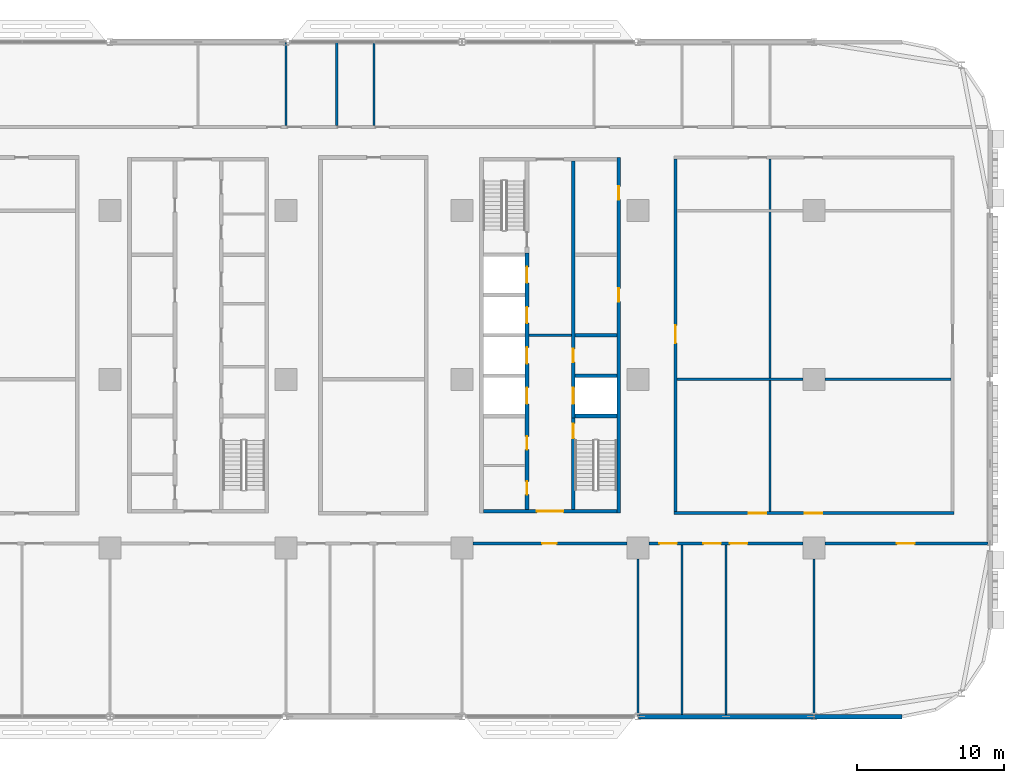
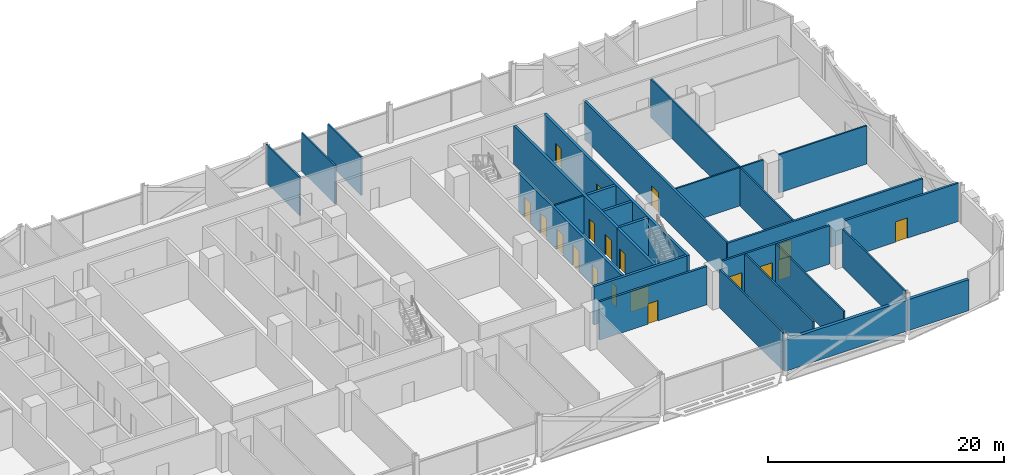
# One storey, part 16 of 29: 26 walls, 20 doors, 20 openings.
"""IFC4 building model written with IfcOpenShell, lengths in metres."""

from ifc_helpers import new_model, si_unit, direction, frame, frame_2d, origin, place, context, subcontext, project, spatial, rectangle, extrude, material, layer, layer_set, type_object, element, fill, save


model = new_model("IFC4")

# Units and contexts
model_context = context("Model", 3, precision=1e-05, world=origin(), true_north=direction((0.0, 1.0)))
body_context = subcontext(model_context, "Body", "Model", "MODEL_VIEW")
ifc_project = project(units=[si_unit("LENGTHUNIT", "METRE"), si_unit("AREAUNIT", "SQUARE_METRE"), si_unit("VOLUMEUNIT", "CUBIC_METRE"), si_unit("PLANEANGLEUNIT", "RADIAN"), si_unit("MASSUNIT", "GRAM", prefix="KILO")], contexts=[model_context])

# Site, building, storey
site_placement = place(None, origin())
site = spatial("IfcSite", under=ifc_project, at=site_placement, CompositionType="ELEMENT")
building_placement = place(site_placement, origin())
building = spatial("IfcBuilding", under=site, at=building_placement, Name="Mahtab Terrace Research Tower", CompositionType="ELEMENT")
storey_placement = place(building_placement, frame((0.0, 0.0, 67.5)))
storey = spatial("IfcBuildingStorey", under=building, at=storey_placement, Name="L15", CompositionType="ELEMENT", Elevation=67.5)

# Wall
ifc_material_1 = material(Name="Gypsum board partition")
ifc_layer_1 = layer(ifc_material_1, 0.14990234375)
ifc_layer_set_1 = layer_set([ifc_layer_1], Name="Core partition 150")
wall_type_1 = type_object("IfcWallType", Name="Core partition 150", PredefinedType="PARTITIONING", material=ifc_layer_set_1)
wall_1_placement = place(storey_placement, frame((22.550048828125, 3.0, 0.0), z_axis=(0.0, 0.0, 1.0), x_axis=(1.0, 0.0, 0.0)))
element("IfcWall", 1, at=wall_1_placement, inside=storey, type_object=wall_type_1, Name="Core wall C ffl", PredefinedType="PARTITIONING", context=body_context, shape_type="SweptSolid", body=[
    extrude(rectangle(XDim=2.89990234375, YDim=0.14990234375, at=frame_2d((1.449951171875, 0.0))), origin(), (0.0, 0.0, 1.0), 3.9599609375),
])

# Wall, openings, doors
ifc_material_2 = material(Name="Concrete C70/85", Category="concrete")
ifc_layer_2 = layer(ifc_material_2, 0.25)
ifc_layer_set_2 = layer_set([ifc_layer_2], Name="Core wall 250")
wall_type_2 = type_object("IfcWallType", Name="Core wall 250", PredefinedType="SOLIDWALL", material=ifc_layer_set_2)
wall_2_placement = place(storey_placement, frame((28.675048828125, -9.125, 0.0), z_axis=(0.0, 0.0, 1.0), x_axis=(0.0, 1.0, 0.0)))
wall_2 = element("IfcWall", 2, at=wall_2_placement, inside=storey, type_object=wall_type_2, Name="Core wall C outerE", PredefinedType="SOLIDWALL", context=body_context, shape_type="SweptSolid", body=[
    extrude(rectangle(XDim=24.25, YDim=0.25, at=frame_2d((12.125, 0.0))), origin(), (0.0, 0.0, 1.0), 3.9599609375),
])
opening_1_placement = place(wall_2_placement, frame((14.425048828125, 0.0, 0.0)))
opening_1 = element("IfcOpeningElement", 3, at=opening_1_placement, cuts=wall_2, Name="Opening C-R2", PredefinedType="OPENING", context=body_context, shape_type="SweptSolid", body=[
    extrude(rectangle(XDim=0.89990234375, YDim=2.10009765625, at=frame_2d((0.449951171875, 1.050048828125))), frame((0.0, 0.135009765625, 0.0), z_axis=(0.0, -1.0, 0.0), x_axis=(1.0, 0.0, 0.0)), (0.0, 0.0, 1.0), 0.27001953125),
])
opening_2_placement = place(wall_2_placement, frame((21.375, 0.0, 0.0)))
opening_2 = element("IfcOpeningElement", 4, at=opening_2_placement, cuts=wall_2, Name="Opening C-R5", PredefinedType="OPENING", context=body_context, shape_type="SweptSolid", body=[
    extrude(rectangle(XDim=0.89990234375, YDim=2.10009765625, at=frame_2d((0.449951171875, 1.050048828125))), frame((0.0, 0.135009765625, 0.0), z_axis=(0.0, -1.0, 0.0), x_axis=(1.0, 0.0, 0.0)), (0.0, 0.0, 1.0), 0.27001953125),
])
ifc_material_3 = material(Name="Steel fire door", Category="steel")
door_type_1 = type_object("IfcDoorType", Name="Room door 900x2100 1 HR", OperationType="NOTDEFINED", PredefinedType="DOOR", material=ifc_material_3)
door_1_placement = place(opening_1_placement, origin())
door_1 = element("IfcDoor", 5, at=door_1_placement, inside=storey, type_object=door_type_1, Name="Plant room door", OperationType="SINGLE_SWING_RIGHT", OverallHeight=2.10009765625, OverallWidth=0.89990234375, PredefinedType="DOOR", context=body_context, shape_type="SweptSolid", body=[
    extrude(rectangle(XDim=0.89990234375, YDim=2.10009765625, at=frame_2d((0.449951171875, 1.050048828125))), frame((0.0, 0.02490234375, 0.0), z_axis=(0.0, -1.0, 0.0), x_axis=(1.0, 0.0, 0.0)), (0.0, 0.0, 1.0), 0.050048828125),
])
fill(opening_1, door_1)
door_2_placement = place(opening_2_placement, origin())
door_2 = element("IfcDoor", 6, at=door_2_placement, inside=storey, type_object=door_type_1, Name="Gas cylinder store door", OperationType="SINGLE_SWING_LEFT", OverallHeight=2.10009765625, OverallWidth=0.89990234375, PredefinedType="DOOR", context=body_context, shape_type="SweptSolid", body=[
    extrude(rectangle(XDim=0.89990234375, YDim=2.10009765625, at=frame_2d((0.449951171875, 1.050048828125))), frame((0.0, 0.02490234375, 0.0), z_axis=(0.0, -1.0, 0.0), x_axis=(1.0, 0.0, 0.0)), (0.0, 0.0, 1.0), 0.050048828125),
])
fill(opening_2, door_2)

# Wall, opening, door
wall_3_placement = place(storey_placement, frame((28.550048828125, -9.0, 0.0), z_axis=(0.0, 0.0, 1.0), x_axis=(-1.0, 0.0, 0.0)))
wall_3 = element("IfcWall", 7, at=wall_3_placement, inside=storey, type_object=wall_type_2, Name="Core wall C endS", PredefinedType="SOLIDWALL", context=body_context, shape_type="SweptSolid", body=[
    extrude(rectangle(XDim=9.10009765625, YDim=0.25, at=frame_2d((4.550048828125, 0.0))), origin(), (0.0, 0.0, 1.0), 3.9599609375),
])
opening_3_placement = place(wall_3_placement, frame((3.64990234375, 0.0, 0.0)))
opening_3 = element("IfcOpeningElement", 8, at=opening_3_placement, cuts=wall_3, Name="Opening C-S1", PredefinedType="OPENING", context=body_context, shape_type="SweptSolid", body=[
    extrude(rectangle(XDim=1.800048828125, YDim=2.10009765625, at=frame_2d((0.89990234375, 1.050048828125))), frame((0.0, 0.135009765625, 0.0), z_axis=(0.0, -1.0, 0.0), x_axis=(1.0, 0.0, 0.0)), (0.0, 0.0, 1.0), 0.27001953125),
])
door_type_2 = type_object("IfcDoorType", Name="Lobby double door 1800x2100 1 HR", OperationType="DOUBLE_DOOR_SINGLE_SWING", PredefinedType="DOOR", material=ifc_material_3)
door_3_placement = place(opening_3_placement, origin())
door_3 = element("IfcDoor", 9, at=door_3_placement, inside=storey, type_object=door_type_2, Name="Core entrance door C S", OperationType="DOUBLE_DOOR_SINGLE_SWING", OverallHeight=2.10009765625, OverallWidth=1.800048828125, PredefinedType="DOOR", context=body_context, shape_type="SweptSolid", body=[
    extrude(rectangle(XDim=1.800048828125, YDim=2.10009765625, at=frame_2d((0.89990234375, 1.050048828125))), frame((0.0, 0.02490234375, 0.0), z_axis=(0.0, -1.0, 0.0), x_axis=(1.0, 0.0, 0.0)), (0.0, 0.0, 1.0), 0.050048828125),
])
fill(opening_3, door_3)

# Wall, openings, doors
wall_4_placement = place(storey_placement, frame((22.425048828125, -8.875, 0.0), z_axis=(0.0, 0.0, 1.0), x_axis=(0.0, 1.0, 0.0)))
wall_4 = element("IfcWall", 10, at=wall_4_placement, inside=storey, type_object=wall_type_2, Name="Core wall C innerWSL", PredefinedType="SOLIDWALL", context=body_context, shape_type="SweptSolid", body=[
    extrude(rectangle(XDim=17.5, YDim=0.25, at=frame_2d((8.75, 0.0))), origin(), (0.0, 0.0, 1.0), 3.9599609375),
])
opening_4_placement = place(wall_4_placement, frame((7.199951171875, 0.0, 0.0)))
opening_4 = element("IfcOpeningElement", 11, at=opening_4_placement, cuts=wall_4, Name="Opening LD17-L15", PredefinedType="OPENING", context=body_context, shape_type="SweptSolid", body=[
    extrude(rectangle(XDim=1.10009765625, YDim=2.10009765625, at=frame_2d((0.550048828125, 1.050048828125))), frame((0.0, 0.135009765625, 0.0), z_axis=(0.0, -1.0, 0.0), x_axis=(1.0, 0.0, 0.0)), (0.0, 0.0, 1.0), 0.27001953125),
])
opening_5_placement = place(wall_4_placement, frame((9.949951171875, 0.0, 0.0)))
opening_5 = element("IfcOpeningElement", 12, at=opening_5_placement, cuts=wall_4, Name="Opening LD18-L15", PredefinedType="OPENING", context=body_context, shape_type="SweptSolid", body=[
    extrude(rectangle(XDim=1.10009765625, YDim=2.10009765625, at=frame_2d((0.550048828125, 1.050048828125))), frame((0.0, 0.135009765625, 0.0), z_axis=(0.0, -1.0, 0.0), x_axis=(1.0, 0.0, 0.0)), (0.0, 0.0, 1.0), 0.27001953125),
])
opening_6_placement = place(wall_4_placement, frame((12.699951171875, 0.0, 0.0)))
opening_6 = element("IfcOpeningElement", 13, at=opening_6_placement, cuts=wall_4, Name="Opening LD19-L15", PredefinedType="OPENING", context=body_context, shape_type="SweptSolid", body=[
    extrude(rectangle(XDim=1.10009765625, YDim=2.10009765625, at=frame_2d((0.550048828125, 1.050048828125))), frame((0.0, 0.135009765625, 0.0), z_axis=(0.0, -1.0, 0.0), x_axis=(1.0, 0.0, 0.0)), (0.0, 0.0, 1.0), 0.27001953125),
])
opening_7_placement = place(wall_4_placement, frame((15.449951171875, 0.0, 0.0)))
opening_7 = element("IfcOpeningElement", 14, at=opening_7_placement, cuts=wall_4, Name="Opening LD20-L15", PredefinedType="OPENING", context=body_context, shape_type="SweptSolid", body=[
    extrude(rectangle(XDim=1.10009765625, YDim=2.10009765625, at=frame_2d((0.550048828125, 1.050048828125))), frame((0.0, 0.135009765625, 0.0), z_axis=(0.0, -1.0, 0.0), x_axis=(1.0, 0.0, 0.0)), (0.0, 0.0, 1.0), 0.27001953125),
])
opening_8_placement = place(wall_4_placement, frame((1.012451171875, 0.0, 0.0)))
opening_8 = element("IfcOpeningElement", 15, at=opening_8_placement, cuts=wall_4, Name="Opening C-R3", PredefinedType="OPENING", context=body_context, shape_type="SweptSolid", body=[
    extrude(rectangle(XDim=0.89990234375, YDim=2.10009765625, at=frame_2d((0.449951171875, 1.050048828125))), frame((0.0, 0.135009765625, 0.0), z_axis=(0.0, -1.0, 0.0), x_axis=(1.0, 0.0, 0.0)), (0.0, 0.0, 1.0), 0.27001953125),
])
opening_9_placement = place(wall_4_placement, frame((4.08740234375, 0.0, 0.0)))
opening_9 = element("IfcOpeningElement", 16, at=opening_9_placement, cuts=wall_4, Name="Opening C-R4", PredefinedType="OPENING", context=body_context, shape_type="SweptSolid", body=[
    extrude(rectangle(XDim=0.89990234375, YDim=2.10009765625, at=frame_2d((0.449951171875, 1.050048828125))), frame((0.0, 0.135009765625, 0.0), z_axis=(0.0, -1.0, 0.0), x_axis=(1.0, 0.0, 0.0)), (0.0, 0.0, 1.0), 0.27001953125),
])
ifc_material_4 = material(Name="Stainless steel AISI 304", Category="steel")
door_type_3 = type_object("IfcDoorType", Name="Landing door 1100x2100", OperationType="DOUBLE_DOOR_SLIDING", PredefinedType="DOOR", material=ifc_material_4)
door_4_placement = place(opening_4_placement, origin())
door_4 = element("IfcDoor", 17, at=door_4_placement, inside=storey, type_object=door_type_3, Name="Landing door SV1 L15", OperationType="DOUBLE_DOOR_SLIDING", OverallHeight=2.10009765625, OverallWidth=1.10009765625, PredefinedType="DOOR", context=body_context, shape_type="SweptSolid", body=[
    extrude(rectangle(XDim=1.10009765625, YDim=2.10009765625, at=frame_2d((0.550048828125, 1.050048828125))), frame((0.0, 0.02490234375, 0.0), z_axis=(0.0, -1.0, 0.0), x_axis=(1.0, 0.0, 0.0)), (0.0, 0.0, 1.0), 0.050048828125),
])
fill(opening_4, door_4)
door_5_placement = place(opening_5_placement, origin())
door_5 = element("IfcDoor", 18, at=door_5_placement, inside=storey, type_object=door_type_3, Name="Landing door SV2 L15", OperationType="DOUBLE_DOOR_SLIDING", OverallHeight=2.10009765625, OverallWidth=1.10009765625, PredefinedType="DOOR", context=body_context, shape_type="SweptSolid", body=[
    extrude(rectangle(XDim=1.10009765625, YDim=2.10009765625, at=frame_2d((0.550048828125, 1.050048828125))), frame((0.0, 0.02490234375, 0.0), z_axis=(0.0, -1.0, 0.0), x_axis=(1.0, 0.0, 0.0)), (0.0, 0.0, 1.0), 0.050048828125),
])
fill(opening_5, door_5)
door_6_placement = place(opening_6_placement, origin())
door_6 = element("IfcDoor", 19, at=door_6_placement, inside=storey, type_object=door_type_3, Name="Landing door FF1 L15", OperationType="DOUBLE_DOOR_SLIDING", OverallHeight=2.10009765625, OverallWidth=1.10009765625, PredefinedType="DOOR", context=body_context, shape_type="SweptSolid", body=[
    extrude(rectangle(XDim=1.10009765625, YDim=2.10009765625, at=frame_2d((0.550048828125, 1.050048828125))), frame((0.0, 0.02490234375, 0.0), z_axis=(0.0, -1.0, 0.0), x_axis=(1.0, 0.0, 0.0)), (0.0, 0.0, 1.0), 0.050048828125),
])
fill(opening_6, door_6)
door_7_placement = place(opening_7_placement, origin())
door_7 = element("IfcDoor", 20, at=door_7_placement, inside=storey, type_object=door_type_3, Name="Landing door FF2 L15", OperationType="DOUBLE_DOOR_SLIDING", OverallHeight=2.10009765625, OverallWidth=1.10009765625, PredefinedType="DOOR", context=body_context, shape_type="SweptSolid", body=[
    extrude(rectangle(XDim=1.10009765625, YDim=2.10009765625, at=frame_2d((0.550048828125, 1.050048828125))), frame((0.0, 0.02490234375, 0.0), z_axis=(0.0, -1.0, 0.0), x_axis=(1.0, 0.0, 0.0)), (0.0, 0.0, 1.0), 0.050048828125),
])
fill(opening_7, door_7)
door_8_placement = place(opening_8_placement, origin())
door_8 = element("IfcDoor", 21, at=door_8_placement, inside=storey, type_object=door_type_1, Name="Staff WC door", OperationType="SINGLE_SWING_LEFT", OverallHeight=2.10009765625, OverallWidth=0.89990234375, PredefinedType="DOOR", context=body_context, shape_type="SweptSolid", body=[
    extrude(rectangle(XDim=0.89990234375, YDim=2.10009765625, at=frame_2d((0.449951171875, 1.050048828125))), frame((0.0, 0.02490234375, 0.0), z_axis=(0.0, -1.0, 0.0), x_axis=(1.0, 0.0, 0.0)), (0.0, 0.0, 1.0), 0.050048828125),
])
fill(opening_8, door_8)
door_9_placement = place(opening_9_placement, origin())
door_9 = element("IfcDoor", 22, at=door_9_placement, inside=storey, type_object=door_type_1, Name="Accessible WC door", OperationType="SINGLE_SWING_RIGHT", OverallHeight=2.10009765625, OverallWidth=0.89990234375, PredefinedType="DOOR", context=body_context, shape_type="SweptSolid", body=[
    extrude(rectangle(XDim=0.89990234375, YDim=2.10009765625, at=frame_2d((0.449951171875, 1.050048828125))), frame((0.0, 0.02490234375, 0.0), z_axis=(0.0, -1.0, 0.0), x_axis=(1.0, 0.0, 0.0)), (0.0, 0.0, 1.0), 0.050048828125),
])
fill(opening_9, door_9)

# Wall, opening, door
wall_5_placement = place(storey_placement, frame((25.574951171875, -8.875, 0.0), z_axis=(0.0, 0.0, 1.0), x_axis=(0.0, 1.0, 0.0)))
wall_5 = element("IfcWall", 23, at=wall_5_placement, inside=storey, type_object=wall_type_2, Name="Core wall C innerES", PredefinedType="SOLIDWALL", context=body_context, shape_type="SweptSolid", body=[
    extrude(rectangle(XDim=6.25, YDim=0.25, at=frame_2d((3.125, 0.0))), origin(), (0.0, 0.0, 1.0), 3.9599609375),
])
opening_10_placement = place(wall_5_placement, frame((4.85009765625, 0.0, 0.0)))
opening_10 = element("IfcOpeningElement", 24, at=opening_10_placement, cuts=wall_5, Name="Opening C-ST4", PredefinedType="OPENING", context=body_context, shape_type="SweptSolid", body=[
    extrude(rectangle(XDim=1.0, YDim=2.10009765625, at=frame_2d((0.5, 1.050048828125))), frame((0.0, 0.135009765625, 0.0), z_axis=(0.0, -1.0, 0.0), x_axis=(1.0, 0.0, 0.0)), (0.0, 0.0, 1.0), 0.27001953125),
])
door_type_4 = type_object("IfcDoorType", Name="Stair door 1000x2100 1.5 HR", OperationType="NOTDEFINED", PredefinedType="DOOR", material=ifc_material_3)
door_10_placement = place(opening_10_placement, origin())
door_10 = element("IfcDoor", 25, at=door_10_placement, inside=storey, type_object=door_type_4, Name="Stair door ST4 L15", OperationType="SINGLE_SWING_LEFT", OverallHeight=2.10009765625, OverallWidth=1.0, PredefinedType="DOOR", context=body_context, shape_type="SweptSolid", body=[
    extrude(rectangle(XDim=1.0, YDim=2.10009765625, at=frame_2d((0.5, 1.050048828125))), frame((0.0, 0.02490234375, 0.0), z_axis=(0.0, -1.0, 0.0), x_axis=(1.0, 0.0, 0.0)), (0.0, 0.0, 1.0), 0.050048828125),
])
fill(opening_10, door_10)

# Wall, openings, doors
wall_6_placement = place(storey_placement, frame((25.574951171875, 14.875, 0.0), z_axis=(0.0, 0.0, 1.0), x_axis=(0.0, -1.0, 0.0)))
wall_6 = element("IfcWall", 26, at=wall_6_placement, inside=storey, type_object=wall_type_2, Name="Core wall C innerELN", PredefinedType="SOLIDWALL", context=body_context, shape_type="SweptSolid", body=[
    extrude(rectangle(XDim=17.5, YDim=0.25, at=frame_2d((8.75, 0.0))), origin(), (0.0, 0.0, 1.0), 3.9599609375),
])
opening_11_placement = place(wall_6_placement, frame((15.449951171875, 0.0, 0.0)))
opening_11 = element("IfcOpeningElement", 27, at=opening_11_placement, cuts=wall_6, Name="Opening LD21-L15", PredefinedType="OPENING", context=body_context, shape_type="SweptSolid", body=[
    extrude(rectangle(XDim=1.10009765625, YDim=2.10009765625, at=frame_2d((0.550048828125, 1.050048828125))), frame((0.0, 0.135009765625, 0.0), z_axis=(0.0, -1.0, 0.0), x_axis=(1.0, 0.0, 0.0)), (0.0, 0.0, 1.0), 0.27001953125),
])
opening_12_placement = place(wall_6_placement, frame((12.800048828125, 0.0, 0.0)))
opening_12 = element("IfcOpeningElement", 28, at=opening_12_placement, cuts=wall_6, Name="Opening C-R1", PredefinedType="OPENING", context=body_context, shape_type="SweptSolid", body=[
    extrude(rectangle(XDim=0.89990234375, YDim=2.10009765625, at=frame_2d((0.449951171875, 1.050048828125))), frame((0.0, 0.135009765625, 0.0), z_axis=(0.0, -1.0, 0.0), x_axis=(1.0, 0.0, 0.0)), (0.0, 0.0, 1.0), 0.27001953125),
])
door_11_placement = place(opening_11_placement, origin())
door_11 = element("IfcDoor", 29, at=door_11_placement, inside=storey, type_object=door_type_3, Name="Landing door SV3 L15", OperationType="DOUBLE_DOOR_SLIDING", OverallHeight=2.10009765625, OverallWidth=1.10009765625, PredefinedType="DOOR", context=body_context, shape_type="SweptSolid", body=[
    extrude(rectangle(XDim=1.10009765625, YDim=2.10009765625, at=frame_2d((0.550048828125, 1.050048828125))), frame((0.0, 0.02490234375, 0.0), z_axis=(0.0, -1.0, 0.0), x_axis=(1.0, 0.0, 0.0)), (0.0, 0.0, 1.0), 0.050048828125),
])
fill(opening_11, door_11)
door_12_placement = place(opening_12_placement, origin())
door_12 = element("IfcDoor", 30, at=door_12_placement, inside=storey, type_object=door_type_1, Name="Plant room door", OperationType="SINGLE_SWING_LEFT", OverallHeight=2.10009765625, OverallWidth=0.89990234375, PredefinedType="DOOR", context=body_context, shape_type="SweptSolid", body=[
    extrude(rectangle(XDim=0.89990234375, YDim=2.10009765625, at=frame_2d((0.449951171875, 1.050048828125))), frame((0.0, 0.02490234375, 0.0), z_axis=(0.0, -1.0, 0.0), x_axis=(1.0, 0.0, 0.0)), (0.0, 0.0, 1.0), 0.050048828125),
])
fill(opening_12, door_12)

# Walls
for number, where, z_axis, x_axis, name in (
    (31, (25.699951171875, -2.5, 0.0), (0.0, 0.0, 1.0), (1.0, 0.0, 0.0), "Core wall C divE0"),
    (32, (25.699951171875, 0.25, 0.0), (0.0, 0.0, 1.0), (1.0, 0.0, 0.0), "Core wall C divE1"),
    (33, (25.699951171875, 3.0, 0.0), (0.0, 0.0, 1.0), (1.0, 0.0, 0.0), "Core wall C divE2"),
):
    element("IfcWall", number, at=place(storey_placement, frame(where, z_axis=z_axis, x_axis=x_axis)), inside=storey, type_object=wall_type_2, Name=name, PredefinedType="SOLIDWALL", context=body_context, shape_type="SweptSolid", body=[
        extrude(rectangle(XDim=2.85009765625, YDim=0.25, at=frame_2d((1.425048828125, 0.0))), origin(), (0.0, 0.0, 1.0), 3.9599609375),
    ])
ifc_material_5 = material(Name="Black aluminium cladding panel", Category="aluminium")
ifc_layer_3 = layer(ifc_material_5, 0.300048828125)
ifc_layer_set_3 = layer_set([ifc_layer_3], Name="Opaque facade wall 300")
wall_type_3 = type_object("IfcWallType", Name="Opaque facade wall 300", PredefinedType="NOTDEFINED", material=ifc_layer_set_3)
wall_7_placement = place(storey_placement, frame((30.02392578125, -23.0, 0.0), z_axis=(0.0, 0.0, 1.0), x_axis=(1.0, 0.0, 0.0)))
element("IfcWall", 34, at=wall_7_placement, inside=storey, type_object=wall_type_3, Name="Opaque facade wall L15 S29", PredefinedType="NOTDEFINED", context=body_context, shape_type="SweptSolid", body=[
    extrude(rectangle(XDim=11.9521484375, YDim=0.300048828125, at=frame_2d((5.97607421875, 0.0))), origin(), (0.0, 0.0, 1.0), 3.203125),
])
wall_8_placement = place(storey_placement, frame((42.02392578125, -23.0, 0.0), z_axis=(0.0, 0.0, 1.0), x_axis=(1.0, 0.0, 0.0)))
element("IfcWall", 35, at=wall_8_placement, inside=storey, type_object=wall_type_3, Name="Opaque facade wall L15 S30", PredefinedType="NOTDEFINED", context=body_context, shape_type="SweptSolid", body=[
    extrude(rectangle(XDim=5.97607421875, YDim=0.300048828125, at=frame_2d((2.988037109375, 0.0))), origin(), (0.0, 0.0, 1.0), 3.203125),
])

# Wall, opening, door
ifc_material_6 = material(Name="Gypsum board corridor wall on steel studs", Category="steel")
ifc_layer_4 = layer(ifc_material_6, 0.199951171875)
ifc_layer_set_4 = layer_set([ifc_layer_4], Name="WALL CORRIDOR 200")
wall_type_4 = type_object("IfcWallType", Name="WALL CORRIDOR 200", PredefinedType="PARTITIONING", material=ifc_layer_set_4)
wall_9_placement = place(storey_placement, frame((18.75, -11.199951171875, 0.0), z_axis=(0.0, 0.0, 1.0), x_axis=(1.0, 0.0, 0.0)))
wall_9 = element("IfcWall", 36, at=wall_9_placement, inside=storey, type_object=wall_type_4, Name="L15-W006", PredefinedType="PARTITIONING", context=body_context, shape_type="SweptSolid", body=[
    extrude(rectangle(XDim=10.5, YDim=0.199951171875, at=frame_2d((5.25, 0.0))), origin(), (0.0, 0.0, 1.0), 3.9599609375),
])
opening_13_placement = place(wall_9_placement, frame((4.699951171875, 0.0, 0.0)))
opening_13 = element("IfcOpeningElement", 37, at=opening_13_placement, cuts=wall_9, Name="Opening L15-111", PredefinedType="OPENING", context=body_context, shape_type="SweptSolid", body=[
    extrude(rectangle(XDim=1.0, YDim=2.10009765625, at=frame_2d((0.5, 1.050048828125))), frame((0.0, 0.10986328125, 0.0), z_axis=(0.0, -1.0, 0.0), x_axis=(1.0, 0.0, 0.0)), (0.0, 0.0, 1.0), 0.219970703125),
])
ifc_material_7 = material(Name="Timber door leaf in steel frame", Category="steel")
door_type_5 = type_object("IfcDoorType", Name="DOOR 1000X2100 FD30S", OperationType="SINGLE_SWING_LEFT", PredefinedType="DOOR", material=ifc_material_7)
door_13_placement = place(opening_13_placement, origin())
door_13 = element("IfcDoor", 38, at=door_13_placement, inside=storey, type_object=door_type_5, Name="Door L15-111", OperationType="SINGLE_SWING_RIGHT", OverallHeight=2.10009765625, OverallWidth=1.0, PredefinedType="DOOR", context=body_context, shape_type="SweptSolid", body=[
    extrude(rectangle(XDim=1.0, YDim=2.10009765625, at=frame_2d((0.5, 1.050048828125))), frame((0.0, 0.02490234375, 0.0), z_axis=(0.0, -1.0, 0.0), x_axis=(1.0, 0.0, 0.0)), (0.0, 0.0, 1.0), 0.050048828125),
])
fill(opening_13, door_13)

# Wall, openings, doors
wall_10_placement = place(storey_placement, frame((30.75, -11.199951171875, 0.0), z_axis=(0.0, 0.0, 1.0), x_axis=(1.0, 0.0, 0.0)))
wall_10 = element("IfcWall", 39, at=wall_10_placement, inside=storey, type_object=wall_type_4, Name="L15-W007", PredefinedType="PARTITIONING", context=body_context, shape_type="SweptSolid", body=[
    extrude(rectangle(XDim=10.5, YDim=0.199951171875, at=frame_2d((5.25, 0.0))), origin(), (0.0, 0.0, 1.0), 3.9599609375),
])
opening_14_placement = place(wall_10_placement, frame((0.699951171875, 0.0, 0.0)))
opening_14 = element("IfcOpeningElement", 40, at=opening_14_placement, cuts=wall_10, Name="Opening L15-112", PredefinedType="OPENING", context=body_context, shape_type="SweptSolid", body=[
    extrude(rectangle(XDim=1.199951171875, YDim=2.10009765625, at=frame_2d((0.60009765625, 1.050048828125))), frame((0.0, 0.10986328125, 0.0), z_axis=(0.0, -1.0, 0.0), x_axis=(1.0, 0.0, 0.0)), (0.0, 0.0, 1.0), 0.219970703125),
])
opening_15_placement = place(wall_10_placement, frame((3.699951171875, 0.0, 0.0)))
opening_15 = element("IfcOpeningElement", 41, at=opening_15_placement, cuts=wall_10, Name="Opening L15-113", PredefinedType="OPENING", context=body_context, shape_type="SweptSolid", body=[
    extrude(rectangle(XDim=1.199951171875, YDim=2.10009765625, at=frame_2d((0.60009765625, 1.050048828125))), frame((0.0, 0.10986328125, 0.0), z_axis=(0.0, -1.0, 0.0), x_axis=(1.0, 0.0, 0.0)), (0.0, 0.0, 1.0), 0.219970703125),
])
opening_16_placement = place(wall_10_placement, frame((5.5, 0.0, 0.0)))
opening_16 = element("IfcOpeningElement", 42, at=opening_16_placement, cuts=wall_10, Name="Opening L15-114", PredefinedType="OPENING", context=body_context, shape_type="SweptSolid", body=[
    extrude(rectangle(XDim=1.199951171875, YDim=2.10009765625, at=frame_2d((0.60009765625, 1.050048828125))), frame((0.0, 0.10986328125, 0.0), z_axis=(0.0, -1.0, 0.0), x_axis=(1.0, 0.0, 0.0)), (0.0, 0.0, 1.0), 0.219970703125),
])
door_type_6 = type_object("IfcDoorType", Name="DOOR 1200X2100 FD30S", OperationType="SINGLE_SWING_LEFT", PredefinedType="DOOR", material=ifc_material_7)
door_14_placement = place(opening_14_placement, origin())
door_14 = element("IfcDoor", 43, at=door_14_placement, inside=storey, type_object=door_type_6, Name="Door L15-112", OperationType="SINGLE_SWING_RIGHT", OverallHeight=2.10009765625, OverallWidth=1.199951171875, PredefinedType="DOOR", context=body_context, shape_type="SweptSolid", body=[
    extrude(rectangle(XDim=1.199951171875, YDim=2.10009765625, at=frame_2d((0.60009765625, 1.050048828125))), frame((0.0, 0.02490234375, 0.0), z_axis=(0.0, -1.0, 0.0), x_axis=(1.0, 0.0, 0.0)), (0.0, 0.0, 1.0), 0.050048828125),
])
fill(opening_14, door_14)
door_15_placement = place(opening_15_placement, origin())
door_15 = element("IfcDoor", 44, at=door_15_placement, inside=storey, type_object=door_type_6, Name="Door L15-113", OperationType="SINGLE_SWING_RIGHT", OverallHeight=2.10009765625, OverallWidth=1.199951171875, PredefinedType="DOOR", context=body_context, shape_type="SweptSolid", body=[
    extrude(rectangle(XDim=1.199951171875, YDim=2.10009765625, at=frame_2d((0.60009765625, 1.050048828125))), frame((0.0, 0.02490234375, 0.0), z_axis=(0.0, -1.0, 0.0), x_axis=(1.0, 0.0, 0.0)), (0.0, 0.0, 1.0), 0.050048828125),
])
fill(opening_15, door_15)
door_16_placement = place(opening_16_placement, origin())
door_16 = element("IfcDoor", 45, at=door_16_placement, inside=storey, type_object=door_type_6, Name="Door L15-114", OperationType="SINGLE_SWING_LEFT", OverallHeight=2.10009765625, OverallWidth=1.199951171875, PredefinedType="DOOR", context=body_context, shape_type="SweptSolid", body=[
    extrude(rectangle(XDim=1.199951171875, YDim=2.10009765625, at=frame_2d((0.60009765625, 1.050048828125))), frame((0.0, 0.02490234375, 0.0), z_axis=(0.0, -1.0, 0.0), x_axis=(1.0, 0.0, 0.0)), (0.0, 0.0, 1.0), 0.050048828125),
])
fill(opening_16, door_16)

# Wall, opening, door
wall_11_placement = place(storey_placement, frame((42.75, -11.199951171875, 0.0), z_axis=(0.0, 0.0, 1.0), x_axis=(1.0, 0.0, 0.0)))
wall_11 = element("IfcWall", 46, at=wall_11_placement, inside=storey, type_object=wall_type_4, Name="L15-W008", PredefinedType="PARTITIONING", context=body_context, shape_type="SweptSolid", body=[
    extrude(rectangle(XDim=11.10009765625, YDim=0.199951171875, at=frame_2d((5.550048828125, 0.0))), origin(), (0.0, 0.0, 1.0), 3.9599609375),
])
opening_17_placement = place(wall_11_placement, frame((4.89990234375, 0.0, 0.0)))
opening_17 = element("IfcOpeningElement", 47, at=opening_17_placement, cuts=wall_11, Name="Opening L15-115", PredefinedType="OPENING", context=body_context, shape_type="SweptSolid", body=[
    extrude(rectangle(XDim=1.199951171875, YDim=2.10009765625, at=frame_2d((0.60009765625, 1.050048828125))), frame((0.0, 0.10986328125, 0.0), z_axis=(0.0, -1.0, 0.0), x_axis=(1.0, 0.0, 0.0)), (0.0, 0.0, 1.0), 0.219970703125),
])
door_17_placement = place(opening_17_placement, origin())
door_17 = element("IfcDoor", 48, at=door_17_placement, inside=storey, type_object=door_type_6, Name="Door L15-115", OperationType="SINGLE_SWING_RIGHT", OverallHeight=2.10009765625, OverallWidth=1.199951171875, PredefinedType="DOOR", context=body_context, shape_type="SweptSolid", body=[
    extrude(rectangle(XDim=1.199951171875, YDim=2.10009765625, at=frame_2d((0.60009765625, 1.050048828125))), frame((0.0, 0.02490234375, 0.0), z_axis=(0.0, -1.0, 0.0), x_axis=(1.0, 0.0, 0.0)), (0.0, 0.0, 1.0), 0.050048828125),
])
fill(opening_17, door_17)

# Wall, openings, doors
wall_12_placement = place(storey_placement, frame((32.449951171875, -9.125, 0.0), z_axis=(0.0, 0.0, 1.0), x_axis=(1.0, 0.0, 0.0)))
wall_12 = element("IfcWall", 49, at=wall_12_placement, inside=storey, type_object=wall_type_4, Name="L15-W012", PredefinedType="PARTITIONING", context=body_context, shape_type="SweptSolid", body=[
    extrude(rectangle(XDim=19.10009765625, YDim=0.199951171875, at=frame_2d((9.550048828125, 0.0))), origin(), (0.0, 0.0, 1.0), 3.9599609375),
])
opening_18_placement = place(wall_12_placement, frame((5.10009765625, 0.0, 0.0)))
opening_18 = element("IfcOpeningElement", 50, at=opening_18_placement, cuts=wall_12, Name="Opening L15-119", PredefinedType="OPENING", context=body_context, shape_type="SweptSolid", body=[
    extrude(rectangle(XDim=1.199951171875, YDim=2.10009765625, at=frame_2d((0.60009765625, 1.050048828125))), frame((0.0, 0.10986328125, 0.0), z_axis=(0.0, -1.0, 0.0), x_axis=(1.0, 0.0, 0.0)), (0.0, 0.0, 1.0), 0.219970703125),
])
opening_19_placement = place(wall_12_placement, frame((8.89990234375, 0.0, 0.0)))
opening_19 = element("IfcOpeningElement", 51, at=opening_19_placement, cuts=wall_12, Name="Opening L15-120", PredefinedType="OPENING", context=body_context, shape_type="SweptSolid", body=[
    extrude(rectangle(XDim=1.199951171875, YDim=2.10009765625, at=frame_2d((0.60009765625, 1.050048828125))), frame((0.0, 0.10986328125, 0.0), z_axis=(0.0, -1.0, 0.0), x_axis=(1.0, 0.0, 0.0)), (0.0, 0.0, 1.0), 0.219970703125),
])
door_18_placement = place(opening_18_placement, origin())
door_18 = element("IfcDoor", 52, at=door_18_placement, inside=storey, type_object=door_type_6, Name="Door L15-119", OperationType="SINGLE_SWING_LEFT", OverallHeight=2.10009765625, OverallWidth=1.199951171875, PredefinedType="DOOR", context=body_context, shape_type="SweptSolid", body=[
    extrude(rectangle(XDim=1.199951171875, YDim=2.10009765625, at=frame_2d((0.60009765625, 1.050048828125))), frame((0.0, 0.02490234375, 0.0), z_axis=(0.0, -1.0, 0.0), x_axis=(1.0, 0.0, 0.0)), (0.0, 0.0, 1.0), 0.050048828125),
])
fill(opening_18, door_18)
door_19_placement = place(opening_19_placement, origin())
door_19 = element("IfcDoor", 53, at=door_19_placement, inside=storey, type_object=door_type_6, Name="Door L15-120", OperationType="SINGLE_SWING_LEFT", OverallHeight=2.10009765625, OverallWidth=1.199951171875, PredefinedType="DOOR", context=body_context, shape_type="SweptSolid", body=[
    extrude(rectangle(XDim=1.199951171875, YDim=2.10009765625, at=frame_2d((0.60009765625, 1.050048828125))), frame((0.0, 0.02490234375, 0.0), z_axis=(0.0, -1.0, 0.0), x_axis=(1.0, 0.0, 0.0)), (0.0, 0.0, 1.0), 0.050048828125),
])
fill(opening_19, door_19)

# Wall, opening, door
wall_13_placement = place(storey_placement, frame((32.550048828125, -9.02490234375, 0.0), z_axis=(0.0, 0.0, 1.0), x_axis=(0.0, 1.0, 0.0)))
wall_13 = element("IfcWall", 54, at=wall_13_placement, inside=storey, type_object=wall_type_4, Name="L15-W051", PredefinedType="PARTITIONING", context=body_context, shape_type="SweptSolid", body=[
    extrude(rectangle(XDim=24.0498046875, YDim=0.199951171875, at=frame_2d((12.02490234375, 0.0))), origin(), (0.0, 0.0, 1.0), 3.9599609375),
])
opening_20_placement = place(wall_13_placement, frame((11.5, 0.0, 0.0)))
opening_20 = element("IfcOpeningElement", 55, at=opening_20_placement, cuts=wall_13, Name="Opening L15-122", PredefinedType="OPENING", context=body_context, shape_type="SweptSolid", body=[
    extrude(rectangle(XDim=1.199951171875, YDim=2.10009765625, at=frame_2d((0.60009765625, 1.050048828125))), frame((0.0, 0.10986328125, 0.0), z_axis=(0.0, -1.0, 0.0), x_axis=(1.0, 0.0, 0.0)), (0.0, 0.0, 1.0), 0.219970703125),
])
door_20_placement = place(opening_20_placement, origin())
door_20 = element("IfcDoor", 56, at=door_20_placement, inside=storey, type_object=door_type_6, Name="Door L15-122", OperationType="SINGLE_SWING_LEFT", OverallHeight=2.10009765625, OverallWidth=1.199951171875, PredefinedType="DOOR", context=body_context, shape_type="SweptSolid", body=[
    extrude(rectangle(XDim=1.199951171875, YDim=2.10009765625, at=frame_2d((0.60009765625, 1.050048828125))), frame((0.0, 0.02490234375, 0.0), z_axis=(0.0, -1.0, 0.0), x_axis=(1.0, 0.0, 0.0)), (0.0, 0.0, 1.0), 0.050048828125),
])
fill(opening_20, door_20)

# Walls
ifc_material_8 = material(Name="Gypsum board partition on steel studs", Category="steel")
ifc_layer_5 = layer(ifc_material_8, 0.14990234375)
ifc_layer_set_5 = layer_set([ifc_layer_5], Name="WALL PARTITION 150")
wall_type_5 = type_object("IfcWallType", Name="WALL PARTITION 150", PredefinedType="PARTITIONING", material=ifc_layer_set_5)
for number, where, z_axis, x_axis, name in (
    (57, (32.64990234375, 0.0, 0.0), (0.0, 0.0, 1.0), (1.0, 0.0, 0.0), "L15-W016"),
    (58, (42.75, 0.0, 0.0), (0.0, 0.0, 1.0), (1.0, 0.0, 0.0), "L15-W017"),
):
    element("IfcWall", number, at=place(storey_placement, frame(where, z_axis=z_axis, x_axis=x_axis)), inside=storey, type_object=wall_type_5, Name=name, PredefinedType="PARTITIONING", context=body_context, shape_type="SweptSolid", body=[
        extrude(rectangle(XDim=8.60009765625, YDim=0.14990234375, at=frame_2d((4.300048828125, 0.0))), origin(), (0.0, 0.0, 1.0), 3.9599609375),
    ])
for number, where, z_axis, x_axis, name in (
    (59, (6.0, 17.300048828125, 0.0), (0.0, 0.0, 1.0), (0.0, 1.0, 0.0), "L15-W041"),
    (60, (9.449951171875, 17.300048828125, 0.0), (0.0, 0.0, 1.0), (0.0, 1.0, 0.0), "L15-W044"),
    (61, (12.0, 17.300048828125, 0.0), (0.0, 0.0, 1.0), (0.0, 1.0, 0.0), "L15-W046"),
):
    element("IfcWall", number, at=place(storey_placement, frame(where, z_axis=z_axis, x_axis=x_axis)), inside=storey, type_object=wall_type_5, Name=name, PredefinedType="PARTITIONING", context=body_context, shape_type="SweptSolid", body=[
        extrude(rectangle(XDim=5.675048828125, YDim=0.14990234375, at=frame_2d((2.83740234375, 0.0))), origin(), (0.0, 0.0, 1.0), 3.9599609375),
    ])
wall_14_placement = place(storey_placement, frame((30.0, -22.97509765625, 0.0), z_axis=(0.0, 0.0, 1.0), x_axis=(0.0, 1.0, 0.0)))
element("IfcWall", 62, at=wall_14_placement, inside=storey, type_object=wall_type_5, Name="L15-W050", PredefinedType="PARTITIONING", context=body_context, shape_type="SweptSolid", body=[
    extrude(rectangle(XDim=10.72509765625, YDim=0.14990234375, at=frame_2d((5.362548828125, 0.0))), origin(), (0.0, 0.0, 1.0), 3.9599609375),
])
for number, where, z_axis, x_axis, name in (
    (63, (33.0, -22.85009765625, 0.0), (0.0, 0.0, 1.0), (0.0, 1.0, 0.0), "L15-W052"),
    (64, (36.0, -22.85009765625, 0.0), (0.0, 0.0, 1.0), (0.0, 1.0, 0.0), "L15-W054"),
):
    element("IfcWall", number, at=place(storey_placement, frame(where, z_axis=z_axis, x_axis=x_axis)), inside=storey, type_object=wall_type_5, Name=name, PredefinedType="PARTITIONING", context=body_context, shape_type="SweptSolid", body=[
        extrude(rectangle(XDim=11.550048828125, YDim=0.14990234375, at=frame_2d((5.77490234375, 0.0))), origin(), (0.0, 0.0, 1.0), 3.9599609375),
    ])
wall_15_placement = place(storey_placement, frame((39.0, -9.02490234375, 0.0), z_axis=(0.0, 0.0, 1.0), x_axis=(0.0, 1.0, 0.0)))
element("IfcWall", 65, at=wall_15_placement, inside=storey, type_object=wall_type_5, Name="L15-W056", PredefinedType="PARTITIONING", context=body_context, shape_type="SweptSolid", body=[
    extrude(rectangle(XDim=24.0498046875, YDim=0.14990234375, at=frame_2d((12.02490234375, 0.0))), origin(), (0.0, 0.0, 1.0), 3.9599609375),
])
wall_16_placement = place(storey_placement, frame((42.0, -22.85009765625, 0.0), z_axis=(0.0, 0.0, 1.0), x_axis=(0.0, 1.0, 0.0)))
element("IfcWall", 66, at=wall_16_placement, inside=storey, type_object=wall_type_5, Name="L15-W058", PredefinedType="PARTITIONING", context=body_context, shape_type="SweptSolid", body=[
    extrude(rectangle(XDim=10.60009765625, YDim=0.14990234375, at=frame_2d((5.300048828125, 0.0))), origin(), (0.0, 0.0, 1.0), 3.9599609375),
])

save(model, "model.ifc")
